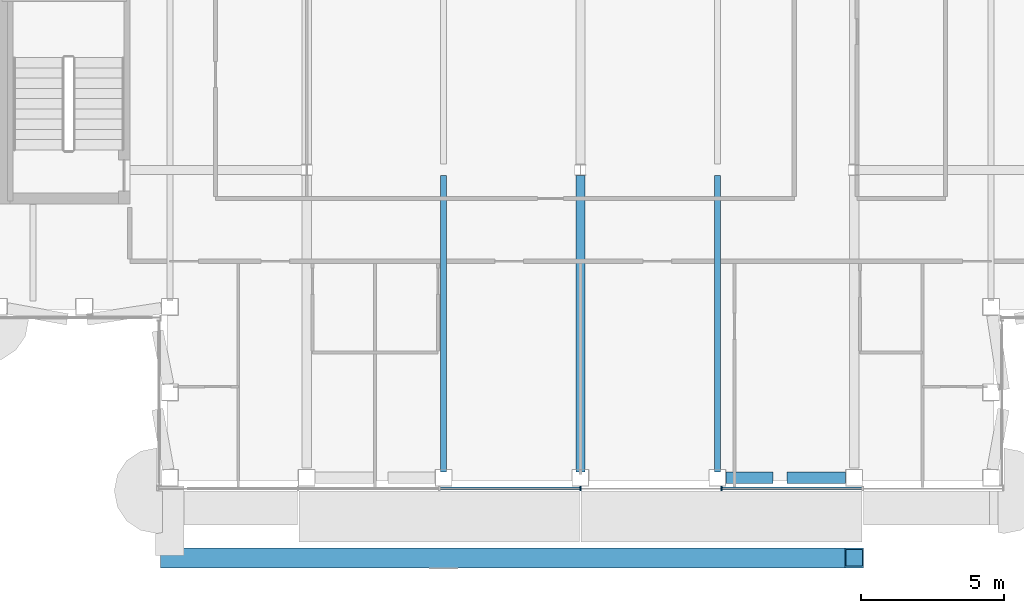
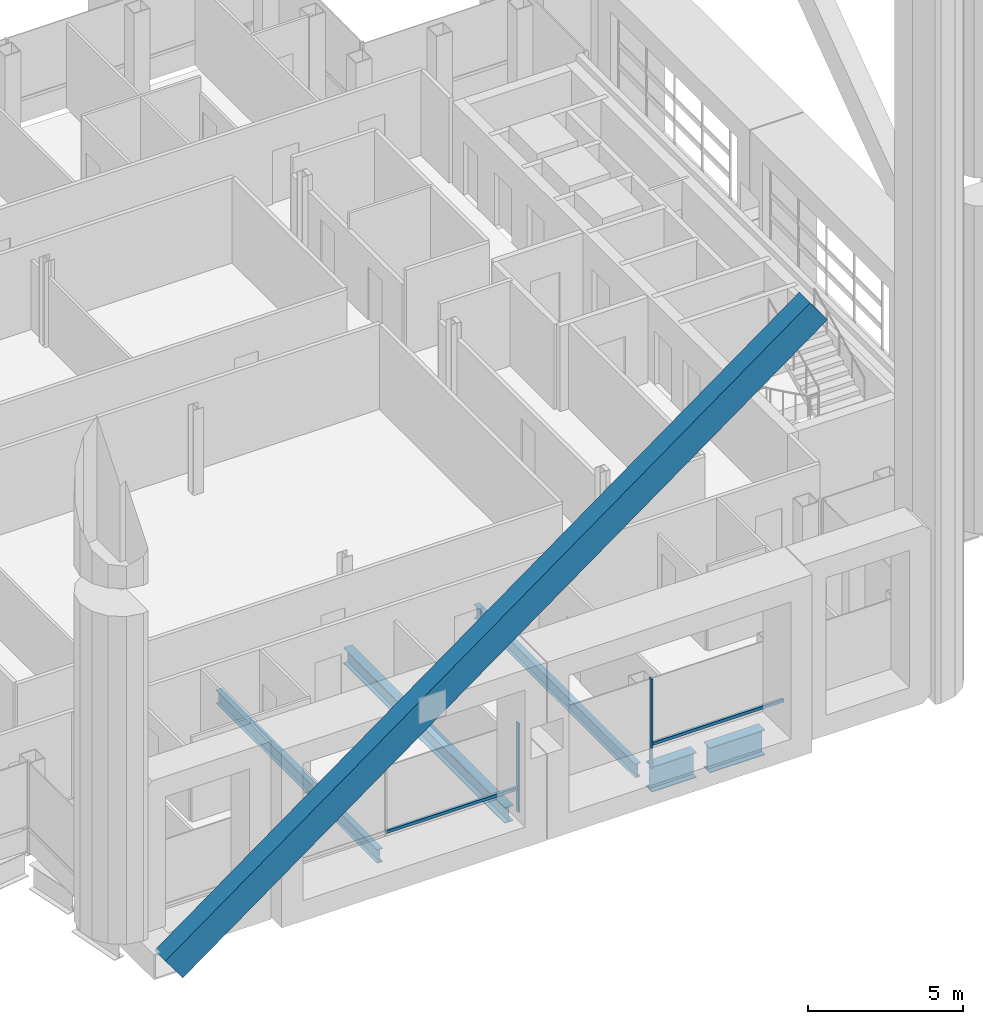
# One storey, part 5 of 29: 5 beams, 5 members, 1 element without a shape of its own.
"""IFC4 building model written with IfcOpenShell, lengths in metres."""

import ifcopenshell
import ifcopenshell.guid

model = None  # the IFC model being written
_history = None  # IfcOwnerHistory: only IFC2X3 demands one
_inside = {}  # id of a spatial element -> (the spatial element, [elements in it])
_under = {}  # id of a project, library or spatial element -> (it, [spatial elements below it])
_declared = {}  # id of a project -> (the project, [libraries it declares])
_typed = {}  # id of a type object -> (the type object, [elements of that type])
_made_of = {}  # id of a material, layer set ... -> (it, [elements and type objects made of it])


def new_model(schema):
    """Start an empty IFC model of exactly this schema.

    Asked for "IFC4X3", IfcOpenShell would pick the latest addendum, in which some entities
    have other attributes; the version numbers below select the first issue.
    IFC2X3 requires an IfcOwnerHistory on every rooted entity: one is made here for all.
    """
    global model, _history
    if schema == "IFC4X3":
        model = ifcopenshell.file(schema_version=(4, 3, 0, 0))
    else:
        model = ifcopenshell.file(schema=schema)
    _inside.clear()
    _under.clear()
    _declared.clear()
    _typed.clear()
    _made_of.clear()
    _history = None
    if model.schema == "IFC2X3":
        org = make("IfcOrganization", Name="unknown")
        user = make(
            "IfcPersonAndOrganization",
            ThePerson=make("IfcPerson", FamilyName="unknown"),
            TheOrganization=org,
        )
        app = make(
            "IfcApplication",
            ApplicationDeveloper=org,
            Version="unknown",
            ApplicationFullName="unknown",
            ApplicationIdentifier="unknown",
        )
        _history = make(
            "IfcOwnerHistory",
            OwningUser=user,
            OwningApplication=app,
            ChangeAction="ADDED",
            CreationDate=0,
        )
    return model


def make(cls, **values):
    """One entity of the class cls with the attributes given. An attribute that is None is left unset."""
    return model.create_entity(
        cls, **{name: value for name, value in values.items() if value is not None}
    )


def rooted(cls, **values):
    """An entity with a GlobalId (a new one), such as an element, a storey or a relation."""
    return make(cls, GlobalId=ifcopenshell.guid.new(), OwnerHistory=_history, **values)


def si_unit(unit_type, name, prefix=None):
    """IfcSIUnit, for example si_unit("LENGTHUNIT", "METRE", prefix="MILLI")."""
    return make("IfcSIUnit", UnitType=unit_type, Prefix=prefix, Name=name)


def assignment(units):
    """IfcUnitAssignment: the units of a project."""
    return None if units is None else make("IfcUnitAssignment", Units=units)


def point(xyz):
    """IfcCartesianPoint."""
    return None if xyz is None else make("IfcCartesianPoint", Coordinates=xyz)


def direction(xyz):
    """IfcDirection."""
    return None if xyz is None else make("IfcDirection", DirectionRatios=xyz)


def frame(location, z_axis=None, x_axis=None):
    """IfcAxis2Placement3D, a coordinate frame: its origin and axes. An axis left out is left unset."""
    return make(
        "IfcAxis2Placement3D",
        Location=point(location),
        Axis=direction(z_axis),
        RefDirection=direction(x_axis),
    )


def frame_2d(location, x_axis=None):
    """IfcAxis2Placement2D, a coordinate frame in the plane: its origin and x axis."""
    return make(
        "IfcAxis2Placement2D", Location=point(location), RefDirection=direction(x_axis)
    )


def origin():
    """The frame at (0, 0, 0) with its axes left unset."""
    return frame((0.0, 0.0, 0.0))


def origin_2d():
    """The frame at (0, 0) in the plane with its x axis left unset."""
    return frame_2d((0.0, 0.0))


def place(relative_to, where):
    """IfcLocalPlacement: puts the frame where relative to a parent placement (None: the world)."""
    return make(
        "IfcLocalPlacement", PlacementRelTo=relative_to, RelativePlacement=where
    )


def context(
    kind, dimensions, precision=None, world=None, true_north=None, identifier=None
):
    """IfcGeometricRepresentationContext, for example the 3D "Model" context."""
    return make(
        "IfcGeometricRepresentationContext",
        ContextIdentifier=identifier,
        ContextType=kind,
        CoordinateSpaceDimension=dimensions,
        Precision=precision,
        WorldCoordinateSystem=world,
        TrueNorth=true_north,
    )


def subcontext(parent, identifier, kind, view, scale=None):
    """IfcGeometricRepresentationSubContext, for example "Body" below "Model"."""
    return make(
        "IfcGeometricRepresentationSubContext",
        ContextIdentifier=identifier,
        ContextType=kind,
        ParentContext=parent,
        TargetScale=scale,
        TargetView=view,
    )


def project(units=None, contexts=None):
    """IfcProject with its units and contexts."""
    return rooted(
        "IfcProject",
        Name="project",
        RepresentationContexts=contexts,
        UnitsInContext=assignment(units),
    )


def spatial(cls, under=None, at=None, **own):
    """A site, building, storey or space (cls), placed at a placement, below another one or the project."""
    s = rooted(cls, ObjectPlacement=at, **own)
    if under is not None:
        _under.setdefault(under.id(), (under, []))[1].append(s)
    return s


def profile(cls, at=None, kind="AREA", **sizes):
    """A parametric profile (cls). Its sizes go by their IFC names, for example OverallWidth=200.0."""
    return make(cls, ProfileType=kind, Position=at, **sizes)


def rectangle(**sizes):
    """IfcRectangleProfileDef."""
    return profile("IfcRectangleProfileDef", **sizes)


def hollow_rectangle(**sizes):
    """IfcRectangleHollowProfileDef."""
    return profile("IfcRectangleHollowProfileDef", **sizes)


def i_section(**sizes):
    """IfcIShapeProfileDef."""
    return profile("IfcIShapeProfileDef", **sizes)


def extrude(swept, where, along, depth):
    """IfcExtrudedAreaSolid: the profile swept, set in the frame where, extruded along a direction by depth."""
    return make(
        "IfcExtrudedAreaSolid",
        SweptArea=swept,
        Position=where,
        ExtrudedDirection=direction(along),
        Depth=depth,
    )


def shape(context_of_items, identifier, shape_type, items):
    """IfcShapeRepresentation: the items that make up one representation, for example the "Body"."""
    return make(
        "IfcShapeRepresentation",
        ContextOfItems=context_of_items,
        RepresentationIdentifier=identifier,
        RepresentationType=shape_type,
        Items=items,
    )


def material(Name=None, Category=None):
    """IfcMaterial."""
    return make("IfcMaterial", Name=Name, Category=Category)


def material_profile(
    of_material, cross_section, Name=None, Category=None, Priority=None
):
    """IfcMaterialProfile: a cross section and its material."""
    return make(
        "IfcMaterialProfile",
        Name=Name,
        Material=of_material,
        Profile=cross_section,
        Priority=Priority,
        Category=Category,
    )


def profile_set(profiles, Name=None, composite=None):
    """IfcMaterialProfileSet."""
    return make(
        "IfcMaterialProfileSet",
        Name=Name,
        MaterialProfiles=profiles,
        CompositeProfile=composite,
    )


def made_of(thing, what):
    """Note that an element or type object is made of a material, layer set ...; save() writes the relation."""
    if what is not None:
        _made_of.setdefault(what.id(), (what, []))[1].append(thing)
    return thing


def type_object(cls, material=None, **own):
    """A type object (cls), such as IfcWallType, which elements share."""
    return made_of(rooted(cls, **own), material)


def element(
    cls,
    number,
    at=None,
    inside=None,
    cuts=None,
    type_object=None,
    material=None,
    context=None,
    identifier="Body",
    shape_type=None,
    held_by="IfcProductDefinitionShape",
    body=None,
    shapes=None,
    **own,
):
    """One element of the class cls, such as IfcWall. Its Tag is "e" and its number.

    at: its placement. inside: the storey or other place that contains it. cuts: it is an
    opening in that element (IfcRelVoidsElement). A single representation is given by context,
    identifier, shape_type and body (its items); several are given by shapes. held_by: the class
    of the entity that holds the representations. save() writes the other relations.
    """
    e = rooted(cls, Tag="e%d" % number, ObjectPlacement=at, **own)
    if body is not None:
        shapes = [shape(context, identifier, shape_type, body)]
    if shapes is not None:
        e.Representation = make(held_by, Representations=shapes)
    if inside is not None:
        _inside.setdefault(inside.id(), (inside, []))[1].append(e)
    if cuts is not None:
        rooted(
            "IfcRelVoidsElement", RelatingBuildingElement=cuts, RelatedOpeningElement=e
        )
    if type_object is not None:
        _typed.setdefault(type_object.id(), (type_object, []))[1].append(e)
    return made_of(e, material)


def aggregate(whole, parts):
    """IfcRelAggregates: a whole, such as a stair, and the parts it consists of."""
    return rooted("IfcRelAggregates", RelatingObject=whole, RelatedObjects=parts)


def save(model, path):
    """Write the relations noted so far, then the file.

    IfcRelAggregates (storeys below a building ...), IfcRelContainedInSpatialStructure (elements
    in a storey), IfcRelDefinesByType, IfcRelAssociatesMaterial and IfcRelDeclares: one each for
    every whole, place, type object, material and project.
    """
    for whole, parts in _under.values():
        aggregate(whole, parts)
    for where, things in _inside.values():
        rooted(
            "IfcRelContainedInSpatialStructure",
            RelatedElements=things,
            RelatingStructure=where,
        )
    for kind, things in _typed.values():
        rooted("IfcRelDefinesByType", RelatedObjects=things, RelatingType=kind)
    for what, things in _made_of.values():
        rooted("IfcRelAssociatesMaterial", RelatedObjects=things, RelatingMaterial=what)
    for by, libraries in _declared.values():
        rooted("IfcRelDeclares", RelatingContext=by, RelatedDefinitions=libraries)
    model.write(path)


model = new_model("IFC4")

# Units and contexts
model_context = context("Model", 3, precision=1e-05, world=origin(), true_north=direction((0.0, 1.0)))
body_context = subcontext(model_context, "Body", "Model", "MODEL_VIEW")
ifc_project = project(units=[si_unit("LENGTHUNIT", "METRE"), si_unit("AREAUNIT", "SQUARE_METRE"), si_unit("VOLUMEUNIT", "CUBIC_METRE"), si_unit("PLANEANGLEUNIT", "RADIAN"), si_unit("MASSUNIT", "GRAM", prefix="KILO")], contexts=[model_context])

# Site, building, storey
site_placement = place(None, origin())
site = spatial("IfcSite", under=ifc_project, at=site_placement, CompositionType="ELEMENT")
building_placement = place(site_placement, origin())
building = spatial("IfcBuilding", under=site, at=building_placement, Name="Cobrizo Arcos Hotel Tower", CompositionType="ELEMENT")
storey_placement = place(building_placement, frame((0.0, 0.0, 241.0)))
storey = spatial("IfcBuildingStorey", under=building, at=storey_placement, Name="L63", CompositionType="ELEMENT", Elevation=241.0)

# Member
ifc_material_1 = material(Name="Steel ASTM A572 Grade 50", Category="steel")
ifc_material_profile_1 = material_profile(ifc_material_1, hollow_rectangle(XDim=0.699951171875, YDim=1.10009765625, WallThickness=0.06005859375, at=origin_2d()), Name="BOX 700X1100X60")
ifc_profile_set_1 = profile_set([ifc_material_profile_1], Name="Steel ASTM A572 Grade 50")
member_type_1 = type_object("IfcMemberType", Name="BOX 700X1100X60 perimeter brace", PredefinedType="BRACE", material=ifc_profile_set_1)
member_1_placement = place(storey_placement, frame((-14.39990234375, -23.199951171875, 0.5), z_axis=(0.808007530216, 0.0, 0.589172157449), x_axis=(0.0, 1.0, 0.0)))
element("IfcMember", 1, at=member_1_placement, inside=storey, type_object=member_type_1, Name="Perimeter brace PBR5, zone Z5, south face, no. 00", PredefinedType="BRACE", context=body_context, shape_type="SweptSolid", body=[
    extrude(hollow_rectangle(XDim=0.699951171875, YDim=1.10009765625, WallThickness=0.06005859375, at=origin_2d()), origin(), (0.0, 0.0, 1.0), 29.70263671875),
])

# Curtain wall, members
ifc_material_2 = material(Name="Aluminium 6063-T6 anodised bronze", Category="aluminium")
curtain_wall_type = type_object("IfcCurtainWallType", Name="CW-A guest facade", PredefinedType="NOTDEFINED", material=ifc_material_2)
curtain_wall_placement = place(storey_placement, origin())
curtain_wall = element("IfcCurtainWall", 2, at=curtain_wall_placement, inside=storey, type_object=curtain_wall_type, Name="CW-A L63 S face", PredefinedType="NOTDEFINED")
ifc_material_profile_2 = material_profile(ifc_material_2, rectangle(XDim=0.14990234375, YDim=0.06005859375, at=origin_2d()), Name="CW-A mullion 150x60")
ifc_profile_set_2 = profile_set([ifc_material_profile_2], Name="Aluminium 6063-T6 anodised bronze")
member_type_2 = type_object("IfcMemberType", Name="CW-A mullion 150x60", PredefinedType="MULLION", material=ifc_profile_set_2)
member_2_placement = place(storey_placement, frame((0.0, -20.77490234375, 0.0), z_axis=(0.0, 0.0, 1.0), x_axis=(0.0, -1.0, 0.0)))
member_2 = element("IfcMember", 3, at=member_2_placement, type_object=member_type_2, Name="CW-A mullion 4", PredefinedType="MULLION", context=body_context, shape_type="SweptSolid", body=[
    extrude(rectangle(XDim=0.14990234375, YDim=0.06005859375, at=origin_2d()), origin(), (0.0, 0.0, 1.0), 3.5),
])
member_3_placement = place(storey_placement, frame((4.949951171875, -20.77490234375, 0.0), z_axis=(0.0, 0.0, 1.0), x_axis=(0.0, -1.0, 0.0)))
member_3 = element("IfcMember", 4, at=member_3_placement, type_object=member_type_2, Name="CW-A mullion 5", PredefinedType="MULLION", context=body_context, shape_type="SweptSolid", body=[
    extrude(rectangle(XDim=0.14990234375, YDim=0.06005859375, at=origin_2d()), origin(), (0.0, 0.0, 1.0), 3.5),
])
ifc_material_profile_3 = material_profile(ifc_material_2, rectangle(XDim=0.10009765625, YDim=0.1201171875, at=origin_2d()), Name="CW-A transom 120x100")
ifc_profile_set_3 = profile_set([ifc_material_profile_3], Name="Aluminium 6063-T6 anodised bronze")
member_type_3 = type_object("IfcMemberType", Name="CW-A transom 120x100", PredefinedType="USERDEFINED", material=ifc_profile_set_3)
member_4_placement = place(storey_placement, frame((-4.919921875, -20.77490234375, 0.929931640625), z_axis=(1.0, 0.0, 0.0), x_axis=(0.0, 1.0, 0.0)))
member_4 = element("IfcMember", 5, at=member_4_placement, type_object=member_type_3, Name="CW-A transom 2014", ObjectType="TRANSOM", PredefinedType="USERDEFINED", context=body_context, shape_type="SweptSolid", body=[
    extrude(rectangle(XDim=0.10009765625, YDim=0.1201171875, at=origin_2d()), origin(), (0.0, 0.0, 1.0), 4.889892578125),
])
member_5_placement = place(storey_placement, frame((4.97998046875, -20.77490234375, 0.929931640625), z_axis=(1.0, 0.0, 0.0), x_axis=(0.0, 1.0, 0.0)))
member_5 = element("IfcMember", 6, at=member_5_placement, type_object=member_type_3, Name="CW-A transom 2016", ObjectType="TRANSOM", PredefinedType="USERDEFINED", context=body_context, shape_type="SweptSolid", body=[
    extrude(rectangle(XDim=0.10009765625, YDim=0.1201171875, at=origin_2d()), origin(), (0.0, 0.0, 1.0), 4.89013671875),
])
aggregate(curtain_wall, [member_2, member_3, member_4, member_5])

# Beams
ifc_material_3 = material(Name="Steel ASTM A992 Grade 50", Category="steel")
ifc_material_profile_4 = material_profile(ifc_material_3, i_section(OverallWidth=0.209228515625, OverallDepth=0.533447265625, WebThickness=0.01025390625, FlangeThickness=0.015625, at=origin_2d()), Name="W21X62")
ifc_profile_set_4 = profile_set([ifc_material_profile_4], Name="Steel ASTM A992 Grade 50")
beam_type_1 = type_object("IfcBeamType", Name="W21X62 joist", PredefinedType="JOIST", material=ifc_profile_set_4)
for number, where, z_axis, x_axis, name in (
    (7, (-4.800048828125, -20.199462890625, -0.416748046875), (0.0, 1.0, 0.0), (-1.0, 0.0, 0.0), "Floor joist J1, L63, no. 007"),
    (8, (4.800048828125, -20.199462890625, -0.416748046875), (0.0, 1.0, 0.0), (-1.0, 0.0, 0.0), "Floor joist J1, L63, no. 011"),
):
    element("IfcBeam", number, at=place(storey_placement, frame(where, z_axis=z_axis, x_axis=x_axis)), inside=storey, type_object=beam_type_1, Name=name, PredefinedType="JOIST", context=body_context, shape_type="SweptSolid", body=[
        extrude(i_section(OverallWidth=0.209228515625, OverallDepth=0.533447265625, WebThickness=0.01025390625, FlangeThickness=0.015625, at=origin_2d()), origin(), (0.0, 0.0, 1.0), 10.39892578125),
    ])
ifc_material_profile_5 = material_profile(ifc_material_3, i_section(OverallWidth=0.32763671875, OverallDepth=0.622314453125, WebThickness=0.015380859375, FlangeThickness=0.0244140625, at=origin_2d()), Name="W24X131")
ifc_profile_set_5 = profile_set([ifc_material_profile_5], Name="Steel ASTM A992 Grade 50")
beam_type_2 = type_object("IfcBeamType", Name="W24X131 girder", PredefinedType="BEAM", material=ifc_profile_set_5)
beam_1_placement = place(storey_placement, frame((0.0, -20.199462890625, -0.461181640625), z_axis=(0.0, 1.0, 0.0), x_axis=(-1.0, 0.0, 0.0)))
element("IfcBeam", 9, at=beam_1_placement, inside=storey, type_object=beam_type_2, Name="Floor girder G1, L63, no. 011", PredefinedType="BEAM", context=body_context, shape_type="SweptSolid", body=[
    extrude(i_section(OverallWidth=0.32763671875, OverallDepth=0.622314453125, WebThickness=0.015380859375, FlangeThickness=0.0244140625, at=origin_2d()), origin(), (0.0, 0.0, 1.0), 10.39892578125),
])
ifc_material_profile_6 = material_profile(ifc_material_3, i_section(OverallWidth=0.4013671875, OverallDepth=0.990478515625, WebThickness=0.0166015625, FlangeThickness=0.025390625, at=origin_2d()), Name="W40X215")
ifc_profile_set_6 = profile_set([ifc_material_profile_6], Name="Steel ASTM A992 Grade 50")
beam_type_3 = type_object("IfcBeamType", Name="W40X215 transfer girder", PredefinedType="BEAM", material=ifc_profile_set_6)
beam_2_placement = place(storey_placement, frame((6.75, -20.39990234375, -0.645263671875), z_axis=(-1.0, 0.0, 0.0), x_axis=(0.0, -1.0, 0.0)))
element("IfcBeam", 10, at=beam_2_placement, inside=storey, type_object=beam_type_3, Name="Setback transfer girder TG1, L63, no. 008", PredefinedType="BEAM", context=body_context, shape_type="SweptSolid", body=[
    extrude(i_section(OverallWidth=0.4013671875, OverallDepth=0.990478515625, WebThickness=0.0166015625, FlangeThickness=0.025390625, at=origin_2d()), origin(), (0.0, 0.0, 1.0), 1.64990234375),
])
beam_3_placement = place(storey_placement, frame((7.25, -20.39990234375, -0.645263671875), z_axis=(1.0, 0.0, 0.0), x_axis=(0.0, 1.0, 0.0)))
element("IfcBeam", 11, at=beam_3_placement, inside=storey, type_object=beam_type_3, Name="Setback transfer girder TG1, L63, no. 010", PredefinedType="BEAM", context=body_context, shape_type="SweptSolid", body=[
    extrude(i_section(OverallWidth=0.4013671875, OverallDepth=0.990478515625, WebThickness=0.0166015625, FlangeThickness=0.025390625, at=origin_2d()), origin(), (0.0, 0.0, 1.0), 2.050048828125),
])

save(model, "model.ifc")
